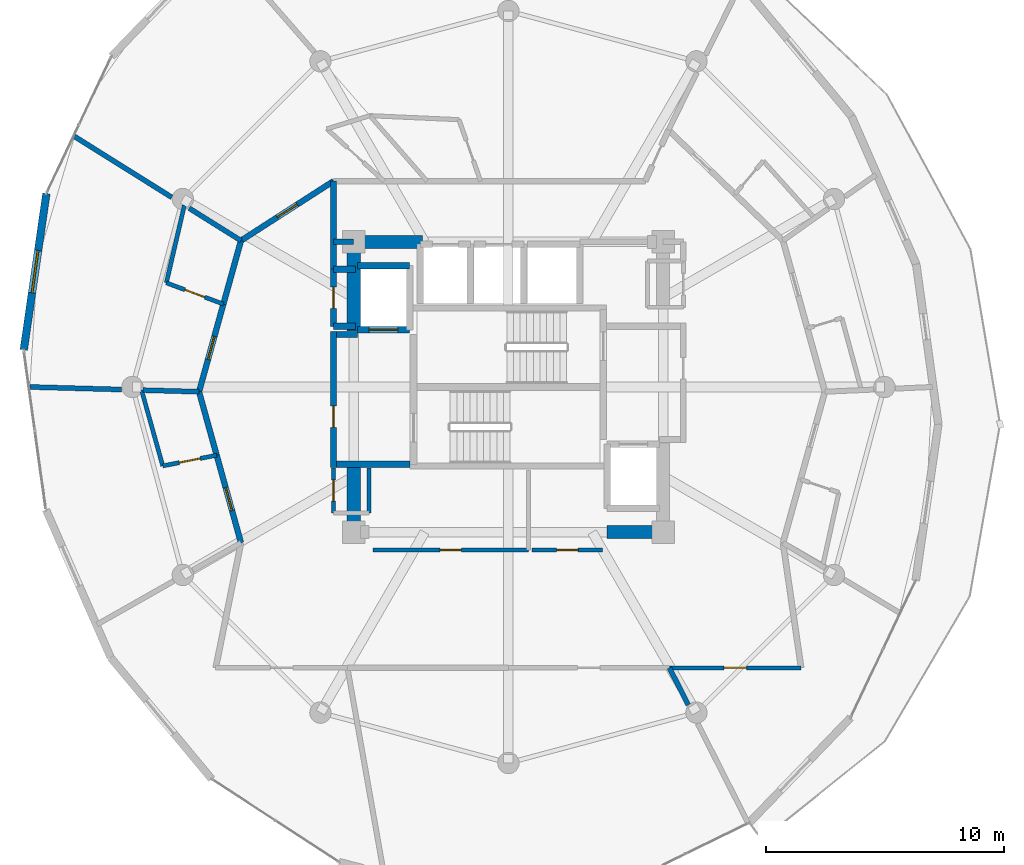
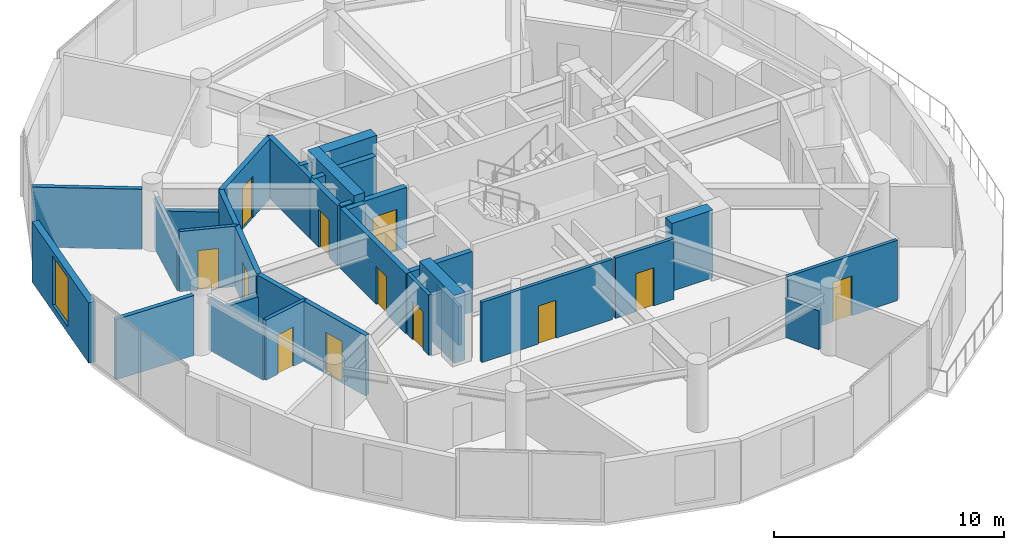
# One storey, part 17 of 22: 34 walls, 12 doors, 1 window, 13 openings.
"""IFC4 building model written with IfcOpenShell, lengths in metres."""

import ifcopenshell
import ifcopenshell.guid

model = None  # the IFC model being written
_history = None  # IfcOwnerHistory: only IFC2X3 demands one
_inside = {}  # id of a spatial element -> (the spatial element, [elements in it])
_under = {}  # id of a project, library or spatial element -> (it, [spatial elements below it])
_declared = {}  # id of a project -> (the project, [libraries it declares])
_typed = {}  # id of a type object -> (the type object, [elements of that type])
_made_of = {}  # id of a material, layer set ... -> (it, [elements and type objects made of it])


def new_model(schema):
    """Start an empty IFC model of exactly this schema.

    Asked for "IFC4X3", IfcOpenShell would pick the latest addendum, in which some entities
    have other attributes; the version numbers below select the first issue.
    IFC2X3 requires an IfcOwnerHistory on every rooted entity: one is made here for all.
    """
    global model, _history
    if schema == "IFC4X3":
        model = ifcopenshell.file(schema_version=(4, 3, 0, 0))
    else:
        model = ifcopenshell.file(schema=schema)
    _inside.clear()
    _under.clear()
    _declared.clear()
    _typed.clear()
    _made_of.clear()
    _history = None
    if model.schema == "IFC2X3":
        org = make("IfcOrganization", Name="unknown")
        user = make(
            "IfcPersonAndOrganization",
            ThePerson=make("IfcPerson", FamilyName="unknown"),
            TheOrganization=org,
        )
        app = make(
            "IfcApplication",
            ApplicationDeveloper=org,
            Version="unknown",
            ApplicationFullName="unknown",
            ApplicationIdentifier="unknown",
        )
        _history = make(
            "IfcOwnerHistory",
            OwningUser=user,
            OwningApplication=app,
            ChangeAction="ADDED",
            CreationDate=0,
        )
    return model


def make(cls, **values):
    """One entity of the class cls with the attributes given. An attribute that is None is left unset."""
    return model.create_entity(
        cls, **{name: value for name, value in values.items() if value is not None}
    )


def rooted(cls, **values):
    """An entity with a GlobalId (a new one), such as an element, a storey or a relation."""
    return make(cls, GlobalId=ifcopenshell.guid.new(), OwnerHistory=_history, **values)


def si_unit(unit_type, name, prefix=None):
    """IfcSIUnit, for example si_unit("LENGTHUNIT", "METRE", prefix="MILLI")."""
    return make("IfcSIUnit", UnitType=unit_type, Prefix=prefix, Name=name)


def assignment(units):
    """IfcUnitAssignment: the units of a project."""
    return None if units is None else make("IfcUnitAssignment", Units=units)


def point(xyz):
    """IfcCartesianPoint."""
    return None if xyz is None else make("IfcCartesianPoint", Coordinates=xyz)


def direction(xyz):
    """IfcDirection."""
    return None if xyz is None else make("IfcDirection", DirectionRatios=xyz)


def frame(location, z_axis=None, x_axis=None):
    """IfcAxis2Placement3D, a coordinate frame: its origin and axes. An axis left out is left unset."""
    return make(
        "IfcAxis2Placement3D",
        Location=point(location),
        Axis=direction(z_axis),
        RefDirection=direction(x_axis),
    )


def frame_2d(location, x_axis=None):
    """IfcAxis2Placement2D, a coordinate frame in the plane: its origin and x axis."""
    return make(
        "IfcAxis2Placement2D", Location=point(location), RefDirection=direction(x_axis)
    )


def origin():
    """The frame at (0, 0, 0) with its axes left unset."""
    return frame((0.0, 0.0, 0.0))


def place(relative_to, where):
    """IfcLocalPlacement: puts the frame where relative to a parent placement (None: the world)."""
    return make(
        "IfcLocalPlacement", PlacementRelTo=relative_to, RelativePlacement=where
    )


def context(
    kind, dimensions, precision=None, world=None, true_north=None, identifier=None
):
    """IfcGeometricRepresentationContext, for example the 3D "Model" context."""
    return make(
        "IfcGeometricRepresentationContext",
        ContextIdentifier=identifier,
        ContextType=kind,
        CoordinateSpaceDimension=dimensions,
        Precision=precision,
        WorldCoordinateSystem=world,
        TrueNorth=true_north,
    )


def subcontext(parent, identifier, kind, view, scale=None):
    """IfcGeometricRepresentationSubContext, for example "Body" below "Model"."""
    return make(
        "IfcGeometricRepresentationSubContext",
        ContextIdentifier=identifier,
        ContextType=kind,
        ParentContext=parent,
        TargetScale=scale,
        TargetView=view,
    )


def project(units=None, contexts=None):
    """IfcProject with its units and contexts."""
    return rooted(
        "IfcProject",
        Name="project",
        RepresentationContexts=contexts,
        UnitsInContext=assignment(units),
    )


def spatial(cls, under=None, at=None, **own):
    """A site, building, storey or space (cls), placed at a placement, below another one or the project."""
    s = rooted(cls, ObjectPlacement=at, **own)
    if under is not None:
        _under.setdefault(under.id(), (under, []))[1].append(s)
    return s


def profile(cls, at=None, kind="AREA", **sizes):
    """A parametric profile (cls). Its sizes go by their IFC names, for example OverallWidth=200.0."""
    return make(cls, ProfileType=kind, Position=at, **sizes)


def rectangle(**sizes):
    """IfcRectangleProfileDef."""
    return profile("IfcRectangleProfileDef", **sizes)


def extrude(swept, where, along, depth):
    """IfcExtrudedAreaSolid: the profile swept, set in the frame where, extruded along a direction by depth."""
    return make(
        "IfcExtrudedAreaSolid",
        SweptArea=swept,
        Position=where,
        ExtrudedDirection=direction(along),
        Depth=depth,
    )


def shape(context_of_items, identifier, shape_type, items):
    """IfcShapeRepresentation: the items that make up one representation, for example the "Body"."""
    return make(
        "IfcShapeRepresentation",
        ContextOfItems=context_of_items,
        RepresentationIdentifier=identifier,
        RepresentationType=shape_type,
        Items=items,
    )


def material(Name=None, Category=None):
    """IfcMaterial."""
    return make("IfcMaterial", Name=Name, Category=Category)


def layer(
    of_material, thickness, ventilated=None, Name=None, Category=None, Priority=None
):
    """IfcMaterialLayer: one layer of a wall or slab, of a material (None: an air gap)."""
    return make(
        "IfcMaterialLayer",
        Material=of_material,
        LayerThickness=thickness,
        IsVentilated=ventilated,
        Name=Name,
        Category=Category,
        Priority=Priority,
    )


def layer_set(layers, Name=None):
    """IfcMaterialLayerSet."""
    return make("IfcMaterialLayerSet", MaterialLayers=layers, LayerSetName=Name)


def made_of(thing, what):
    """Note that an element or type object is made of a material, layer set ...; save() writes the relation."""
    if what is not None:
        _made_of.setdefault(what.id(), (what, []))[1].append(thing)
    return thing


def type_object(cls, material=None, **own):
    """A type object (cls), such as IfcWallType, which elements share."""
    return made_of(rooted(cls, **own), material)


def element(
    cls,
    number,
    at=None,
    inside=None,
    cuts=None,
    type_object=None,
    material=None,
    context=None,
    identifier="Body",
    shape_type=None,
    held_by="IfcProductDefinitionShape",
    body=None,
    shapes=None,
    **own,
):
    """One element of the class cls, such as IfcWall. Its Tag is "e" and its number.

    at: its placement. inside: the storey or other place that contains it. cuts: it is an
    opening in that element (IfcRelVoidsElement). A single representation is given by context,
    identifier, shape_type and body (its items); several are given by shapes. held_by: the class
    of the entity that holds the representations. save() writes the other relations.
    """
    e = rooted(cls, Tag="e%d" % number, ObjectPlacement=at, **own)
    if body is not None:
        shapes = [shape(context, identifier, shape_type, body)]
    if shapes is not None:
        e.Representation = make(held_by, Representations=shapes)
    if inside is not None:
        _inside.setdefault(inside.id(), (inside, []))[1].append(e)
    if cuts is not None:
        rooted(
            "IfcRelVoidsElement", RelatingBuildingElement=cuts, RelatedOpeningElement=e
        )
    if type_object is not None:
        _typed.setdefault(type_object.id(), (type_object, []))[1].append(e)
    return made_of(e, material)


def fill(opening, filler):
    """IfcRelFillsElement: the door or window that sits in an opening."""
    return rooted(
        "IfcRelFillsElement",
        RelatingOpeningElement=opening,
        RelatedBuildingElement=filler,
    )


def aggregate(whole, parts):
    """IfcRelAggregates: a whole, such as a stair, and the parts it consists of."""
    return rooted("IfcRelAggregates", RelatingObject=whole, RelatedObjects=parts)


def save(model, path):
    """Write the relations noted so far, then the file.

    IfcRelAggregates (storeys below a building ...), IfcRelContainedInSpatialStructure (elements
    in a storey), IfcRelDefinesByType, IfcRelAssociatesMaterial and IfcRelDeclares: one each for
    every whole, place, type object, material and project.
    """
    for whole, parts in _under.values():
        aggregate(whole, parts)
    for where, things in _inside.values():
        rooted(
            "IfcRelContainedInSpatialStructure",
            RelatedElements=things,
            RelatingStructure=where,
        )
    for kind, things in _typed.values():
        rooted("IfcRelDefinesByType", RelatedObjects=things, RelatingType=kind)
    for what, things in _made_of.values():
        rooted("IfcRelAssociatesMaterial", RelatedObjects=things, RelatingMaterial=what)
    for by, libraries in _declared.values():
        rooted("IfcRelDeclares", RelatingContext=by, RelatedDefinitions=libraries)
    model.write(path)


model = new_model("IFC4")

# Units and contexts
model_context = context("Model", 3, precision=1e-05, world=origin(), true_north=direction((0.0, 1.0)))
body_context = subcontext(model_context, "Body", "Model", "MODEL_VIEW")
ifc_project = project(units=[si_unit("LENGTHUNIT", "METRE"), si_unit("AREAUNIT", "SQUARE_METRE"), si_unit("VOLUMEUNIT", "CUBIC_METRE"), si_unit("PLANEANGLEUNIT", "RADIAN"), si_unit("MASSUNIT", "GRAM", prefix="KILO")], contexts=[model_context])

# Site, building, storey
site_placement = place(None, origin())
site = spatial("IfcSite", under=ifc_project, at=site_placement, CompositionType="ELEMENT")
building_placement = place(site_placement, origin())
building = spatial("IfcBuilding", under=site, at=building_placement, Name="Solvirekh Grand Hotel", CompositionType="ELEMENT")
storey_placement = place(building_placement, frame((0.0, 0.0, 230.800048828125)))
storey = spatial("IfcBuildingStorey", under=building, at=storey_placement, Name="L60", CompositionType="ELEMENT", Elevation=230.800048828125)

# Wall, opening, door
ifc_material_1 = material(Name="Concrete C40/50", Category="concrete")
ifc_layer_1 = layer(ifc_material_1, 0.280029296875)
ifc_layer_set_1 = layer_set([ifc_layer_1], Name="Concrete C40/50")
wall_type_1 = type_object("IfcWallType", Name="CoreShaftWall_RC280", PredefinedType="SOLIDWALL", material=ifc_layer_set_1)
wall_1_placement = place(storey_placement, frame((-6.35009765625, 2.39990234375, 0.0), z_axis=(0.0, 0.0, 1.0), x_axis=(1.0, 0.0, 0.0)))
wall_1 = element("IfcWall", 1, at=wall_1_placement, inside=storey, type_object=wall_type_1, Name="L60 FL-1 hoistway S wall", PredefinedType="SOLIDWALL", context=body_context, shape_type="SweptSolid", body=[
    extrude(rectangle(XDim=2.2001953125, YDim=0.280029296875, at=frame_2d((1.10009765625, 0.0))), origin(), (0.0, 0.0, 1.0), 3.199951171875),
])
opening_1_placement = place(wall_1_placement, frame((0.5, 0.0, 0.0)))
opening_1 = element("IfcOpeningElement", 2, at=opening_1_placement, cuts=wall_1, Name="Opening LD02", PredefinedType="OPENING", context=body_context, shape_type="SweptSolid", body=[
    extrude(rectangle(XDim=1.199951171875, YDim=2.199951171875, at=frame_2d((0.60009765625, 1.10009765625))), frame((0.0, 0.14990234375, 0.0), z_axis=(0.0, -1.0, 0.0), x_axis=(1.0, 0.0, 0.0)), (0.0, 0.0, 1.0), 0.300048828125),
])
ifc_material_2 = material(Name="Fire-Rated Steel Door Assembly", Category="steel")
door_type_1 = type_object("IfcDoorType", Name="Door_LiftFF_1200X2200", OperationType="SLIDING_TO_LEFT", PredefinedType="DOOR", material=ifc_material_2)
door_1_placement = place(opening_1_placement, origin())
door_1 = element("IfcDoor", 3, at=door_1_placement, inside=storey, type_object=door_type_1, Name="L60 FL-1 sliding lift landing door", OperationType="SLIDING_TO_LEFT", OverallHeight=2.199951171875, OverallWidth=1.199951171875, PredefinedType="DOOR", context=body_context, shape_type="SweptSolid", body=[
    extrude(rectangle(XDim=1.199951171875, YDim=2.199951171875, at=frame_2d((0.60009765625, 1.10009765625))), frame((0.0, 0.02490234375, 0.0), z_axis=(0.0, -1.0, 0.0), x_axis=(1.0, 0.0, 0.0)), (0.0, 0.0, 1.0), 0.050048828125),
])
fill(opening_1, door_1)

# Walls
wall_2_placement = place(storey_placement, frame((-4.14990234375, 5.10009765625, 0.0), z_axis=(0.0, 0.0, 1.0), x_axis=(-1.0, 0.0, 0.0)))
element("IfcWall", 4, at=wall_2_placement, inside=storey, type_object=wall_type_1, Name="L60 FL-1 hoistway N wall", PredefinedType="SOLIDWALL", context=body_context, shape_type="SweptSolid", body=[
    extrude(rectangle(XDim=2.2001953125, YDim=0.280029296875, at=frame_2d((1.10009765625, 0.0))), origin(), (0.0, 0.0, 1.0), 3.199951171875),
])
ifc_material_3 = material(Name="Concrete C50/60", Category="concrete")
ifc_layer_2 = layer(ifc_material_3, 0.550048828125)
ifc_layer_set_2 = layer_set([ifc_layer_2], Name="Concrete C50/60")
wall_type_2 = type_object("IfcWallType", Name="CoreWall_RC550", PredefinedType="SHEAR", material=ifc_layer_set_2)
wall_3_placement = place(storey_placement, frame((4.14990234375, -6.10009765625, 0.0), z_axis=(0.0, 0.0, 1.0), x_axis=(1.0, 0.0, 0.0)))
element("IfcWall", 5, at=wall_3_placement, inside=storey, type_object=wall_type_2, Name="L60 core corner shear wall SE-S", PredefinedType="SHEAR", context=body_context, shape_type="SweptSolid", body=[
    extrude(rectangle(XDim=2.0751953125, YDim=0.550048828125, at=frame_2d((1.03759765625, 0.0))), origin(), (0.0, 0.0, 1.0), 3.599853515625),
])
wall_4_placement = place(storey_placement, frame((-6.22509765625, 6.10009765625, 0.0), z_axis=(0.0, 0.0, 1.0), x_axis=(1.0, 0.0, 0.0)))
element("IfcWall", 6, at=wall_4_placement, inside=storey, type_object=wall_type_2, Name="L60 core corner shear wall NW-N", PredefinedType="SHEAR", context=body_context, shape_type="SweptSolid", body=[
    extrude(rectangle(XDim=2.625, YDim=0.550048828125, at=frame_2d((1.3125, 0.0))), origin(), (0.0, 0.0, 1.0), 3.599853515625),
])
wall_5_placement = place(storey_placement, frame((-6.5, 2.35009765625, 0.0), z_axis=(0.0, 0.0, 1.0), x_axis=(0.0, 1.0, 0.0)))
element("IfcWall", 7, at=wall_5_placement, inside=storey, type_object=wall_type_2, Name="L60 core corner shear wall WN-W", PredefinedType="SHEAR", context=body_context, shape_type="SweptSolid", body=[
    extrude(rectangle(XDim=4.02490234375, YDim=0.550048828125, at=frame_2d((2.012451171875, 0.0))), origin(), (0.0, 0.0, 1.0), 3.599853515625),
])
wall_6_placement = place(storey_placement, frame((-6.5, -6.375, 0.0), z_axis=(0.0, 0.0, 1.0), x_axis=(0.0, 1.0, 0.0)))
element("IfcWall", 8, at=wall_6_placement, inside=storey, type_object=wall_type_2, Name="L60 core corner shear wall WS-W", PredefinedType="SHEAR", context=body_context, shape_type="SweptSolid", body=[
    extrude(rectangle(XDim=3.02490234375, YDim=0.550048828125, at=frame_2d((1.512451171875, 0.0))), origin(), (0.0, 0.0, 1.0), 3.599853515625),
])

# Wall, opening, window
ifc_material_4 = material(Name="Precast concrete C45/55", Category="concrete")
ifc_layer_3 = layer(ifc_material_4, 0.320068359375)
ifc_layer_set_3 = layer_set([ifc_layer_3], Name="Precast concrete C45/55")
wall_type_3 = type_object("IfcWallType", Name="ExtLobbyWall_RC320", PredefinedType="SOLIDWALL", material=ifc_layer_set_3)
wall_7_placement = place(storey_placement, frame((-20.365966796875, 1.56005859375, 0.0), z_axis=(0.0, 0.0, 1.0), x_axis=(0.143125707186, 0.989704517491, 0.0)))
wall_7 = element("IfcWall", 9, at=wall_7_placement, inside=storey, type_object=wall_type_3, Name="L60 exterior structural wall chord 14", PredefinedType="SOLIDWALL", context=body_context, shape_type="SweptSolid", body=[
    extrude(rectangle(XDim=6.63720703125, YDim=0.320068359375, at=frame_2d((3.318603515625, 0.0))), origin(), (0.0, 0.0, 1.0), 3.199951171875),
])
opening_2_placement = place(wall_7_placement, frame((2.4189453125, 0.0, 0.35009765625)))
opening_2 = element("IfcOpeningElement", 10, at=opening_2_placement, cuts=wall_7, Name="Opening W02", PredefinedType="OPENING", context=body_context, shape_type="SweptSolid", body=[
    extrude(rectangle(XDim=1.800048828125, YDim=2.60009765625, at=frame_2d((0.89990234375, 1.300048828125))), frame((0.0, 0.169921875, 0.0), z_axis=(0.0, -1.0, 0.0), x_axis=(1.0, 0.0, 0.0)), (0.0, 0.0, 1.0), 0.340087890625),
])
ifc_material_5 = material(Name="Low-E Tinted Bronze Laminated Glass", Category="aluminium")
window_type = type_object("IfcWindowType", Name="Win_LobbyExt_1800X2600", PartitioningType="SINGLE_PANEL", PredefinedType="WINDOW", material=ifc_material_5)
window_placement = place(opening_2_placement, origin())
window = element("IfcWindow", 11, at=window_placement, inside=storey, type_object=window_type, Name="L60 panoramic bronze-framed window 14", OverallHeight=2.60009765625, OverallWidth=1.800048828125, PartitioningType="SINGLE_PANEL", PredefinedType="WINDOW", context=body_context, shape_type="SweptSolid", body=[
    extrude(rectangle(XDim=1.800048828125, YDim=2.60009765625, at=frame_2d((0.89990234375, 1.300048828125))), frame((0.0, 0.030029296875, 0.0), z_axis=(0.0, -1.0, 0.0), x_axis=(1.0, 0.0, 0.0)), (0.0, 0.0, 1.0), 0.06005859375),
])
fill(opening_2, window)

# Wall
ifc_material_6 = material(Name="Acoustic Gypsum Partition Assembly")
ifc_layer_4 = layer(ifc_material_6, 0.1650390625)
ifc_layer_set_4 = layer_set([ifc_layer_4], Name="Acoustic Gypsum Partition Assembly")
wall_type_4 = type_object("IfcWallType", Name="Part_BOH_165", PredefinedType="PARTITIONING", material=ifc_layer_set_4)
wall_8_placement = place(storey_placement, frame((-5.85009765625, -5.300048828125, 0.0), z_axis=(0.0, 0.0, 1.0), x_axis=(0.0, 1.0, 0.0)))
element("IfcWall", 12, at=wall_8_placement, inside=storey, type_object=wall_type_4, Name="L60 L60 Butler Service Closet wall 2", PredefinedType="PARTITIONING", context=body_context, shape_type="SweptSolid", body=[
    extrude(rectangle(XDim=1.900146484375, YDim=0.1650390625, at=frame_2d((0.9501953125, 0.0))), origin(), (0.0, 0.0, 1.0), 2.06689453125),
])

# Wall, opening, door
wall_9_placement = place(storey_placement, frame((-7.35009765625, -3.39990234375, 0.0), z_axis=(0.0, 0.0, 1.0), x_axis=(0.0, -1.0, 0.0)))
wall_9 = element("IfcWall", 13, at=wall_9_placement, inside=storey, type_object=wall_type_4, Name="L60 L60 Butler Service Closet wall 4", PredefinedType="PARTITIONING", context=body_context, shape_type="SweptSolid", body=[
    extrude(rectangle(XDim=1.900146484375, YDim=0.1650390625, at=frame_2d((0.9501953125, 0.0))), origin(), (0.0, 0.0, 1.0), 3.199951171875),
])
opening_3_placement = place(wall_9_placement, frame((0.5, 0.0, 0.0)))
opening_3 = element("IfcOpeningElement", 14, at=opening_3_placement, cuts=wall_9, Name="Opening D14", PredefinedType="OPENING", context=body_context, shape_type="SweptSolid", body=[
    extrude(rectangle(XDim=0.89990234375, YDim=2.02001953125, at=frame_2d((0.449951171875, 1.010009765625))), frame((0.0, 0.092529296875, 0.0), z_axis=(0.0, -1.0, 0.0), x_axis=(1.0, 0.0, 0.0)), (0.0, 0.0, 1.0), 0.18505859375),
])
door_type_2 = type_object("IfcDoorType", Name="Door_LowHeadroom_900X2020", OperationType="NOTDEFINED", PredefinedType="DOOR", material=ifc_material_2)
door_2_placement = place(opening_3_placement, origin())
door_2 = element("IfcDoor", 15, at=door_2_placement, inside=storey, type_object=door_type_2, Name="L60 L60 Butler Service Closet door", OperationType="SINGLE_SWING_LEFT", OverallHeight=2.02001953125, OverallWidth=0.89990234375, PredefinedType="DOOR", context=body_context, shape_type="SweptSolid", body=[
    extrude(rectangle(XDim=0.89990234375, YDim=2.02001953125, at=frame_2d((0.449951171875, 1.010009765625))), frame((0.0, 0.02490234375, 0.0), z_axis=(0.0, -1.0, 0.0), x_axis=(1.0, 0.0, 0.0)), (0.0, 0.0, 1.0), 0.050048828125),
])
fill(opening_3, door_2)

wall_10_placement = place(storey_placement, frame((-5.699951171875, -6.85009765625, 0.0), z_axis=(0.0, 0.0, 1.0), x_axis=(1.0, 0.0, 0.0)))
wall_10 = element("IfcWall", 16, at=wall_10_placement, inside=storey, type_object=wall_type_4, Name="L60 Housekeeping Linen Room wall 1", PredefinedType="PARTITIONING", context=body_context, shape_type="SweptSolid", body=[
    extrude(rectangle(XDim=6.550048828125, YDim=0.1650390625, at=frame_2d((3.27490234375, 0.0))), origin(), (0.0, 0.0, 1.0), 3.199951171875),
])
opening_4_placement = place(wall_10_placement, frame((2.824951171875, 0.0, 0.0)))
opening_4 = element("IfcOpeningElement", 17, at=opening_4_placement, cuts=wall_10, Name="Opening D14", PredefinedType="OPENING", context=body_context, shape_type="SweptSolid", body=[
    extrude(rectangle(XDim=0.89990234375, YDim=2.02001953125, at=frame_2d((0.449951171875, 1.010009765625))), frame((0.0, 0.092529296875, 0.0), z_axis=(0.0, -1.0, 0.0), x_axis=(1.0, 0.0, 0.0)), (0.0, 0.0, 1.0), 0.18505859375),
])
door_3_placement = place(opening_4_placement, origin())
door_3 = element("IfcDoor", 18, at=door_3_placement, inside=storey, type_object=door_type_2, Name="L60 Housekeeping Linen Room door", OperationType="SINGLE_SWING_LEFT", OverallHeight=2.02001953125, OverallWidth=0.89990234375, PredefinedType="DOOR", context=body_context, shape_type="SweptSolid", body=[
    extrude(rectangle(XDim=0.89990234375, YDim=2.02001953125, at=frame_2d((0.449951171875, 1.010009765625))), frame((0.0, 0.02490234375, 0.0), z_axis=(0.0, -1.0, 0.0), x_axis=(1.0, 0.0, 0.0)), (0.0, 0.0, 1.0), 0.050048828125),
])
fill(opening_4, door_3)

wall_11_placement = place(storey_placement, frame((1.0, -6.85009765625, 0.0), z_axis=(0.0, 0.0, 1.0), x_axis=(1.0, 0.0, 0.0)))
wall_11 = element("IfcWall", 19, at=wall_11_placement, inside=storey, type_object=wall_type_4, Name="L60 Chilled Water Manifold Room wall 1", PredefinedType="PARTITIONING", context=body_context, shape_type="SweptSolid", body=[
    extrude(rectangle(XDim=2.949951171875, YDim=0.1650390625, at=frame_2d((1.47509765625, 0.0))), origin(), (0.0, 0.0, 1.0), 3.199951171875),
])
opening_5_placement = place(wall_11_placement, frame((1.02490234375, 0.0, 0.0)))
opening_5 = element("IfcOpeningElement", 20, at=opening_5_placement, cuts=wall_11, Name="Opening D14", PredefinedType="OPENING", context=body_context, shape_type="SweptSolid", body=[
    extrude(rectangle(XDim=0.89990234375, YDim=2.02001953125, at=frame_2d((0.449951171875, 1.010009765625))), frame((0.0, 0.092529296875, 0.0), z_axis=(0.0, -1.0, 0.0), x_axis=(1.0, 0.0, 0.0)), (0.0, 0.0, 1.0), 0.18505859375),
])
door_4_placement = place(opening_5_placement, origin())
door_4 = element("IfcDoor", 21, at=door_4_placement, inside=storey, type_object=door_type_2, Name="L60 Chilled Water Manifold Room door", OperationType="SINGLE_SWING_RIGHT", OverallHeight=2.02001953125, OverallWidth=0.89990234375, PredefinedType="DOOR", context=body_context, shape_type="SweptSolid", body=[
    extrude(rectangle(XDim=0.89990234375, YDim=2.02001953125, at=frame_2d((0.449951171875, 1.010009765625))), frame((0.0, 0.02490234375, 0.0), z_axis=(0.0, -1.0, 0.0), x_axis=(1.0, 0.0, 0.0)), (0.0, 0.0, 1.0), 0.050048828125),
])
fill(opening_5, door_4)

wall_12_placement = place(storey_placement, frame((6.764892578125, -11.800048828125, 0.0), z_axis=(0.0, 0.0, 1.0), x_axis=(1.0, 0.0, 0.0)))
wall_12 = element("IfcWall", 22, at=wall_12_placement, inside=storey, type_object=wall_type_4, Name="L60 L60 Butler Valet & Linen Steward Room entrance wall", PredefinedType="PARTITIONING", context=body_context, shape_type="SweptSolid", body=[
    extrude(rectangle(XDim=5.53515625, YDim=0.1650390625, at=frame_2d((2.767578125, 0.0))), origin(), (0.0, 0.0, 1.0), 3.199951171875),
])
opening_6_placement = place(wall_12_placement, frame((2.29296875, 0.0, 0.0)))
opening_6 = element("IfcOpeningElement", 23, at=opening_6_placement, cuts=wall_12, Name="Opening D10", PredefinedType="OPENING", context=body_context, shape_type="SweptSolid", body=[
    extrude(rectangle(XDim=0.949951171875, YDim=2.10009765625, at=frame_2d((0.47509765625, 1.050048828125))), frame((0.0, 0.092529296875, 0.0), z_axis=(0.0, -1.0, 0.0), x_axis=(1.0, 0.0, 0.0)), (0.0, 0.0, 1.0), 0.18505859375),
])
ifc_material_7 = material(Name="Anodized Bronze Aluminium 6063-T6", Category="aluminium")
door_type_3 = type_object("IfcDoorType", Name="Door_RoomInt_950X2100", OperationType="NOTDEFINED", PredefinedType="DOOR", material=ifc_material_7)
door_5_placement = place(opening_6_placement, origin())
door_5 = element("IfcDoor", 24, at=door_5_placement, inside=storey, type_object=door_type_3, Name="L60 L60 Butler Valet & Linen Steward Room entrance door", OperationType="SINGLE_SWING_LEFT", OverallHeight=2.10009765625, OverallWidth=0.949951171875, PredefinedType="DOOR", context=body_context, shape_type="SweptSolid", body=[
    extrude(rectangle(XDim=0.949951171875, YDim=2.10009765625, at=frame_2d((0.47509765625, 1.050048828125))), frame((0.0, 0.02490234375, 0.0), z_axis=(0.0, -1.0, 0.0), x_axis=(1.0, 0.0, 0.0)), (0.0, 0.0, 1.0), 0.050048828125),
])
fill(opening_6, door_5)

ifc_layer_5 = layer(ifc_material_6, 0.239990234375)
ifc_layer_set_5 = layer_set([ifc_layer_5], Name="Acoustic Gypsum Partition Assembly")
wall_type_5 = type_object("IfcWallType", Name="Part_Corridor_240", PredefinedType="PARTITIONING", material=ifc_layer_set_5)
wall_13_placement = place(storey_placement, frame((-7.35009765625, -3.3798828125, 0.0), z_axis=(0.0, 0.0, 1.0), x_axis=(0.0, 1.0, 0.0)))
wall_13 = element("IfcWall", 25, at=wall_13_placement, inside=storey, type_object=wall_type_5, Name="L60 west firefighting lobby smoke screen wall", PredefinedType="PARTITIONING", context=body_context, shape_type="SweptSolid", body=[
    extrude(rectangle(XDim=5.719970703125, YDim=0.239990234375, at=frame_2d((2.85986328125, 0.0))), origin(), (0.0, 0.0, 1.0), 3.199951171875),
])
opening_7_placement = place(wall_13_placement, frame((1.68701171875, 0.0, 0.0)))
opening_7 = element("IfcOpeningElement", 26, at=opening_7_placement, cuts=wall_13, Name="Opening D14", PredefinedType="OPENING", context=body_context, shape_type="SweptSolid", body=[
    extrude(rectangle(XDim=0.89990234375, YDim=2.02001953125, at=frame_2d((0.449951171875, 1.010009765625))), frame((0.0, 0.1298828125, 0.0), z_axis=(0.0, -1.0, 0.0), x_axis=(1.0, 0.0, 0.0)), (0.0, 0.0, 1.0), 0.260009765625),
])
door_6_placement = place(opening_7_placement, origin())
door_6 = element("IfcDoor", 27, at=door_6_placement, inside=storey, type_object=door_type_2, Name="L60 west firefighting lobby smoke door", OperationType="SINGLE_SWING_RIGHT", OverallHeight=2.02001953125, OverallWidth=0.89990234375, PredefinedType="DOOR", context=body_context, shape_type="SweptSolid", body=[
    extrude(rectangle(XDim=0.89990234375, YDim=2.02001953125, at=frame_2d((0.449951171875, 1.010009765625))), frame((0.0, 0.02490234375, 0.0), z_axis=(0.0, -1.0, 0.0), x_axis=(1.0, 0.0, 0.0)), (0.0, 0.0, 1.0), 0.050048828125),
])
fill(opening_7, door_6)

# Walls
wall_14_placement = place(storey_placement, frame((-7.35009765625, 4.949951171875, 0.0), z_axis=(0.0, 0.0, 1.0), x_axis=(0.0, 1.0, 0.0)))
element("IfcWall", 28, at=wall_14_placement, inside=storey, type_object=wall_type_5, Name="L60 north lift lobby west wall", PredefinedType="PARTITIONING", context=body_context, shape_type="SweptSolid", body=[
    extrude(rectangle(XDim=3.699951171875, YDim=0.239990234375, at=frame_2d((1.85009765625, 0.0))), origin(), (0.0, 0.0, 1.0), 3.199951171875),
])
wall_15_placement = place(storey_placement, frame((-7.35009765625, 6.10009765625, 0.0), z_axis=(0.0, 0.0, 1.0), x_axis=(1.0, 0.0, 0.0)))
element("IfcWall", 29, at=wall_15_placement, inside=storey, type_object=wall_type_5, Name="L60 NW core corner closure wall", PredefinedType="PARTITIONING", context=body_context, shape_type="SweptSolid", body=[
    extrude(rectangle(XDim=0.85009765625, YDim=0.239990234375, at=frame_2d((0.425048828125, 0.0))), origin(), (0.0, 0.0, 1.0), 3.199951171875),
])

# Wall, opening, door
wall_16_placement = place(storey_placement, frame((-11.238037109375, 6.14990234375, 0.0), z_axis=(0.0, 0.0, 1.0), x_axis=(0.841118406986, 0.540851019625, 0.0)))
wall_16 = element("IfcWall", 30, at=wall_16_placement, inside=storey, type_object=wall_type_5, Name="L60 Deluxe Guestroom 6202 entrance wall", PredefinedType="PARTITIONING", context=body_context, shape_type="SweptSolid", body=[
    extrude(rectangle(XDim=4.622314453125, YDim=0.239990234375, at=frame_2d((2.31103515625, 0.0))), origin(), (0.0, 0.0, 1.0), 3.199951171875),
])
opening_8_placement = place(wall_16_placement, frame((1.81103515625, 0.0, 0.0)))
opening_8 = element("IfcOpeningElement", 31, at=opening_8_placement, cuts=wall_16, Name="Opening D07", PredefinedType="OPENING", context=body_context, shape_type="SweptSolid", body=[
    extrude(rectangle(XDim=1.0, YDim=2.199951171875, at=frame_2d((0.5, 1.10009765625))), frame((0.0, 0.1298828125, 0.0), z_axis=(0.0, -1.0, 0.0), x_axis=(1.0, 0.0, 0.0)), (0.0, 0.0, 1.0), 0.260009765625),
])
door_type_4 = type_object("IfcDoorType", Name="Door_GuestEntry_1000X2200", OperationType="NOTDEFINED", PredefinedType="DOOR", material=ifc_material_2)
door_7_placement = place(opening_8_placement, origin())
door_7 = element("IfcDoor", 32, at=door_7_placement, inside=storey, type_object=door_type_4, Name="L60 Deluxe Guestroom 6202 entrance door", OperationType="SINGLE_SWING_RIGHT", OverallHeight=2.199951171875, OverallWidth=1.0, PredefinedType="DOOR", context=body_context, shape_type="SweptSolid", body=[
    extrude(rectangle(XDim=1.0, YDim=2.199951171875, at=frame_2d((0.5, 1.10009765625))), frame((0.0, 0.02490234375, 0.0), z_axis=(0.0, -1.0, 0.0), x_axis=(1.0, 0.0, 0.0)), (0.0, 0.0, 1.0), 0.050048828125),
])
fill(opening_8, door_7)

# Wall
wall_17_placement = place(storey_placement, frame((-11.238037109375, 6.14990234375, 0.0), z_axis=(0.0, 0.0, 1.0), x_axis=(-0.267361785392, -0.963596220266, 0.0)))
element("IfcWall", 33, at=wall_17_placement, inside=storey, type_object=wall_type_5, Name="L60 En-suite Bathroom 6203 corridor backing wall", PredefinedType="PARTITIONING", context=body_context, shape_type="SweptSolid", body=[
    extrude(rectangle(XDim=2.767822265625, YDim=0.239990234375, at=frame_2d((1.3837890625, 0.0))), origin(), (0.0, 0.0, 1.0), 3.199951171875),
])

# Wall, opening, door
wall_18_placement = place(storey_placement, frame((-11.97802734375, 3.48291015625, 0.0), z_axis=(0.0, 0.0, 1.0), x_axis=(-0.267390175797, -0.963588342544, 0.0)))
wall_18 = element("IfcWall", 34, at=wall_18_placement, inside=storey, type_object=wall_type_5, Name="L60 Deluxe Guestroom 6203 entrance wall", PredefinedType="PARTITIONING", context=body_context, shape_type="SweptSolid", body=[
    extrude(rectangle(XDim=3.822021484375, YDim=0.239990234375, at=frame_2d((1.9111328125, 0.0))), origin(), (0.0, 0.0, 1.0), 3.199951171875),
])
opening_9_placement = place(wall_18_placement, frame((1.410888671875, 0.0, 0.0)))
opening_9 = element("IfcOpeningElement", 35, at=opening_9_placement, cuts=wall_18, Name="Opening D07", PredefinedType="OPENING", context=body_context, shape_type="SweptSolid", body=[
    extrude(rectangle(XDim=1.0, YDim=2.199951171875, at=frame_2d((0.5, 1.10009765625))), frame((0.0, 0.1298828125, 0.0), z_axis=(0.0, -1.0, 0.0), x_axis=(1.0, 0.0, 0.0)), (0.0, 0.0, 1.0), 0.260009765625),
])
door_8_placement = place(opening_9_placement, origin())
door_8 = element("IfcDoor", 36, at=door_8_placement, inside=storey, type_object=door_type_4, Name="L60 Deluxe Guestroom 6203 entrance door", OperationType="SINGLE_SWING_RIGHT", OverallHeight=2.199951171875, OverallWidth=1.0, PredefinedType="DOOR", context=body_context, shape_type="SweptSolid", body=[
    extrude(rectangle(XDim=1.0, YDim=2.199951171875, at=frame_2d((0.5, 1.10009765625))), frame((0.0, 0.02490234375, 0.0), z_axis=(0.0, -1.0, 0.0), x_axis=(1.0, 0.0, 0.0)), (0.0, 0.0, 1.0), 0.050048828125),
])
fill(opening_9, door_8)

# Wall
wall_19_placement = place(storey_placement, frame((-13.0, -0.199951171875, 0.0), z_axis=(0.0, 0.0, 1.0), x_axis=(0.267361785392, -0.963596220266, 0.0)))
element("IfcWall", 37, at=wall_19_placement, inside=storey, type_object=wall_type_5, Name="L60 En-suite Bathroom 6204 corridor backing wall", PredefinedType="PARTITIONING", context=body_context, shape_type="SweptSolid", body=[
    extrude(rectangle(XDim=2.767822265625, YDim=0.239990234375, at=frame_2d((1.3837890625, 0.0))), origin(), (0.0, 0.0, 1.0), 3.199951171875),
])

# Wall, opening, door
wall_20_placement = place(storey_placement, frame((-12.260009765625, -2.866943359375, 0.0), z_axis=(0.0, 0.0, 1.0), x_axis=(0.267373718537, -0.963592909187, 0.0)))
wall_20 = element("IfcWall", 38, at=wall_20_placement, inside=storey, type_object=wall_type_5, Name="L60 Deluxe Guestroom 6204 entrance wall", PredefinedType="PARTITIONING", context=body_context, shape_type="SweptSolid", body=[
    extrude(rectangle(XDim=3.822265625, YDim=0.239990234375, at=frame_2d((1.9111328125, 0.0))), origin(), (0.0, 0.0, 1.0), 3.199951171875),
])
opening_10_placement = place(wall_20_placement, frame((1.410888671875, 0.0, 0.0)))
opening_10 = element("IfcOpeningElement", 39, at=opening_10_placement, cuts=wall_20, Name="Opening D07", PredefinedType="OPENING", context=body_context, shape_type="SweptSolid", body=[
    extrude(rectangle(XDim=1.0, YDim=2.199951171875, at=frame_2d((0.5, 1.10009765625))), frame((0.0, 0.1298828125, 0.0), z_axis=(0.0, -1.0, 0.0), x_axis=(1.0, 0.0, 0.0)), (0.0, 0.0, 1.0), 0.260009765625),
])
door_9_placement = place(opening_10_placement, origin())
door_9 = element("IfcDoor", 40, at=door_9_placement, inside=storey, type_object=door_type_4, Name="L60 Deluxe Guestroom 6204 entrance door", OperationType="SINGLE_SWING_RIGHT", OverallHeight=2.199951171875, OverallWidth=1.0, PredefinedType="DOOR", context=body_context, shape_type="SweptSolid", body=[
    extrude(rectangle(XDim=1.0, YDim=2.199951171875, at=frame_2d((0.5, 1.10009765625))), frame((0.0, 0.02490234375, 0.0), z_axis=(0.0, -1.0, 0.0), x_axis=(1.0, 0.0, 0.0)), (0.0, 0.0, 1.0), 0.050048828125),
])
fill(opening_10, door_9)

# Walls
ifc_layer_6 = layer(ifc_material_6, 0.260009765625)
ifc_layer_set_6 = layer_set([ifc_layer_6], Name="Acoustic Gypsum Partition Assembly")
wall_type_6 = type_object("IfcWallType", Name="Part_LobbyFF_260", PredefinedType="PARTITIONING", material=ifc_layer_set_6)
wall_21_placement = place(storey_placement, frame((-7.22509765625, -3.25, 0.0), z_axis=(0.0, 0.0, 1.0), x_axis=(1.0, 0.0, 0.0)))
element("IfcWall", 41, at=wall_21_placement, inside=storey, type_object=wall_type_6, Name="L60 west firefighting lobby south partition", PredefinedType="PARTITIONING", context=body_context, shape_type="SweptSolid", body=[
    extrude(rectangle(XDim=3.09521484375, YDim=0.260009765625, at=frame_2d((1.547607421875, 0.0))), origin(), (0.0, 0.0, 1.0), 3.199951171875),
])
wall_22_placement = place(storey_placement, frame((-7.22509765625, 2.2099609375, 0.0), z_axis=(0.0, 0.0, 1.0), x_axis=(1.0, 0.0, 0.0)))
element("IfcWall", 42, at=wall_22_placement, inside=storey, type_object=wall_type_6, Name="L60 west firefighting lobby NW cheek", PredefinedType="PARTITIONING", context=body_context, shape_type="SweptSolid", body=[
    extrude(rectangle(XDim=0.875, YDim=0.260009765625, at=frame_2d((0.4375, 0.0))), origin(), (0.0, 0.0, 1.0), 3.199951171875),
])
for number, where, z_axis, x_axis, name in (
    (43, (-7.35009765625, 4.949951171875, 0.0), (0.0, 0.0, 1.0), (1.0, 0.0, 0.0), "L60 NW telecom metering cupboard north wall"),
    (44, (-7.35009765625, 2.550048828125, 0.0), (0.0, 0.0, 1.0), (1.0, 0.0, 0.0), "L60 NW telecom metering cupboard south wall"),
):
    element("IfcWall", number, at=place(storey_placement, frame(where, z_axis=z_axis, x_axis=x_axis)), inside=storey, type_object=wall_type_6, Name=name, PredefinedType="PARTITIONING", context=body_context, shape_type="SweptSolid", body=[
        extrude(rectangle(XDim=0.93017578125, YDim=0.260009765625, at=frame_2d((0.465087890625, 0.0))), origin(), (0.0, 0.0, 1.0), 3.199951171875),
    ])

# Wall, opening, door
wall_23_placement = place(storey_placement, frame((-7.35009765625, 2.550048828125, 0.0), z_axis=(0.0, 0.0, 1.0), x_axis=(0.0, 1.0, 0.0)))
wall_23 = element("IfcWall", 45, at=wall_23_placement, inside=storey, type_object=wall_type_6, Name="L60 NW telecom metering cupboard access wall", PredefinedType="PARTITIONING", context=body_context, shape_type="SweptSolid", body=[
    extrude(rectangle(XDim=2.39990234375, YDim=0.260009765625, at=frame_2d((1.199951171875, 0.0))), origin(), (0.0, 0.0, 1.0), 3.199951171875),
])
opening_11_placement = place(wall_23_placement, frame((0.75, 0.0, 0.0)))
opening_11 = element("IfcOpeningElement", 46, at=opening_11_placement, cuts=wall_23, Name="Opening D14", PredefinedType="OPENING", context=body_context, shape_type="SweptSolid", body=[
    extrude(rectangle(XDim=0.89990234375, YDim=2.02001953125, at=frame_2d((0.449951171875, 1.010009765625))), frame((0.0, 0.14013671875, 0.0), z_axis=(0.0, -1.0, 0.0), x_axis=(1.0, 0.0, 0.0)), (0.0, 0.0, 1.0), 0.280029296875),
])
door_10_placement = place(opening_11_placement, origin())
door_10 = element("IfcDoor", 47, at=door_10_placement, inside=storey, type_object=door_type_2, Name="L60 telecom metering cupboard access door", OperationType="SINGLE_SWING_RIGHT", OverallHeight=2.02001953125, OverallWidth=0.89990234375, PredefinedType="DOOR", context=body_context, shape_type="SweptSolid", body=[
    extrude(rectangle(XDim=0.89990234375, YDim=2.02001953125, at=frame_2d((0.449951171875, 1.010009765625))), frame((0.0, 0.02490234375, 0.0), z_axis=(0.0, -1.0, 0.0), x_axis=(1.0, 0.0, 0.0)), (0.0, 0.0, 1.0), 0.050048828125),
])
fill(opening_11, door_10)

# Walls
ifc_layer_7 = layer(ifc_material_6, 0.2099609375)
ifc_layer_set_7 = layer_set([ifc_layer_7], Name="Acoustic Gypsum Partition Assembly")
wall_type_7 = type_object("IfcWallType", Name="Part_SuiteDemise_210", PredefinedType="PARTITIONING", material=ifc_layer_set_7)
wall_24_placement = place(storey_placement, frame((-11.238037109375, 6.14990234375, 0.0), z_axis=(0.0, 0.0, 1.0), x_axis=(-0.847683196706, 0.530502778524, 0.0)))
element("IfcWall", 48, at=wall_24_placement, inside=storey, type_object=wall_type_7, Name="L60 suite radial wall 6 (A)", PredefinedType="PARTITIONING", context=body_context, shape_type="SweptSolid", body=[
    extrude(rectangle(XDim=2.5693359375, YDim=0.2099609375, at=frame_2d((1.28466796875, 0.0))), origin(), (0.0, 0.0, 1.0), 2.06689453125),
])
wall_25_placement = place(storey_placement, frame((-14.14794921875, 7.969970703125, 0.0), z_axis=(0.0, 0.0, 1.0), x_axis=(-0.84767945367, 0.530508759425, 0.0)))
element("IfcWall", 49, at=wall_25_placement, inside=storey, type_object=wall_type_7, Name="L60 suite radial wall 6 (B)", PredefinedType="PARTITIONING", context=body_context, shape_type="SweptSolid", body=[
    extrude(rectangle(XDim=4.820068359375, YDim=0.2099609375, at=frame_2d((2.41015625, 0.0))), origin(), (0.0, 0.0, 1.0), 3.199951171875),
])
wall_26_placement = place(storey_placement, frame((-13.0, -0.199951171875, 0.0), z_axis=(0.0, 0.0, 1.0), x_axis=(-0.999606531068, 0.028049653231, 0.0)))
element("IfcWall", 50, at=wall_26_placement, inside=storey, type_object=wall_type_7, Name="L60 suite radial wall 7 (A)", PredefinedType="PARTITIONING", context=body_context, shape_type="SweptSolid", body=[
    extrude(rectangle(XDim=2.35009765625, YDim=0.2099609375, at=frame_2d((1.175048828125, 0.0))), origin(), (0.0, 0.0, 1.0), 2.06689453125),
])
wall_27_placement = place(storey_placement, frame((-16.257080078125, -0.10791015625, 0.0), z_axis=(0.0, 0.0, 1.0), x_axis=(-0.999608046027, 0.027995612492, 0.0)))
element("IfcWall", 51, at=wall_27_placement, inside=storey, type_object=wall_type_7, Name="L60 suite radial wall 7 (B)", PredefinedType="PARTITIONING", context=body_context, shape_type="SweptSolid", body=[
    extrude(rectangle(XDim=3.8544921875, YDim=0.2099609375, at=frame_2d((1.92724609375, 0.0))), origin(), (0.0, 0.0, 1.0), 3.199951171875),
])
wall_28_placement = place(storey_placement, frame((6.764892578125, -11.800048828125, 0.0), z_axis=(0.0, 0.0, 1.0), x_axis=(0.452225083285, -0.891903847983, 0.0)))
element("IfcWall", 52, at=wall_28_placement, inside=storey, type_object=wall_type_7, Name="L60 L60 Riverfront Reading Lounge dividing partition 1 (A)", PredefinedType="PARTITIONING", context=body_context, shape_type="SweptSolid", body=[
    extrude(rectangle(XDim=1.751220703125, YDim=0.2099609375, at=frame_2d((0.87548828125, 0.0))), origin(), (0.0, 0.0, 1.0), 2.06689453125),
])
ifc_layer_8 = layer(ifc_material_6, 0.175048828125)
ifc_layer_set_8 = layer_set([ifc_layer_8], Name="Acoustic Gypsum Partition Assembly")
wall_type_8 = type_object("IfcWallType", Name="Plumb_Ensuite_175", PredefinedType="PLUMBINGWALL", material=ifc_layer_set_8)
wall_29_placement = place(storey_placement, frame((-13.616943359375, 7.637939453125, 0.0), z_axis=(0.0, 0.0, 1.0), x_axis=(-0.225743113999, -0.974186864253, 0.0)))
element("IfcWall", 53, at=wall_29_placement, inside=storey, type_object=wall_type_8, Name="L60 En-suite Bathroom 6203 outer plumbing wall", PredefinedType="PLUMBINGWALL", context=body_context, shape_type="SweptSolid", body=[
    extrude(rectangle(XDim=3.349365234375, YDim=0.175048828125, at=frame_2d((1.6748046875, 0.0))), origin(), (0.0, 0.0, 1.0), 2.76904296875),
])

# Wall, opening, door
wall_30_placement = place(storey_placement, frame((-11.97802734375, 3.48291015625, 0.0), z_axis=(0.0, 0.0, 1.0), x_axis=(-0.93710417217, 0.349049810918, 0.0)))
wall_30 = element("IfcWall", 54, at=wall_30_placement, inside=storey, type_object=wall_type_8, Name="L60 En-suite Bathroom 6203 entry plumbing wall", PredefinedType="PLUMBINGWALL", context=body_context, shape_type="SweptSolid", body=[
    extrude(rectangle(XDim=2.5556640625, YDim=0.175048828125, at=frame_2d((1.27783203125, 0.0))), origin(), (0.0, 0.0, 1.0), 3.199951171875),
])
opening_12_placement = place(wall_30_placement, frame((0.827880859375, 0.0, 0.0)))
opening_12 = element("IfcOpeningElement", 55, at=opening_12_placement, cuts=wall_30, Name="Opening D09", PredefinedType="OPENING", context=body_context, shape_type="SweptSolid", body=[
    extrude(rectangle(XDim=0.89990234375, YDim=2.10009765625, at=frame_2d((0.449951171875, 1.050048828125))), frame((0.0, 0.09765625, 0.0), z_axis=(0.0, -1.0, 0.0), x_axis=(1.0, 0.0, 0.0)), (0.0, 0.0, 1.0), 0.195068359375),
])
door_type_5 = type_object("IfcDoorType", Name="Door_Ensuite_900X2100", OperationType="NOTDEFINED", PredefinedType="DOOR", material=ifc_material_7)
door_11_placement = place(opening_12_placement, origin())
door_11 = element("IfcDoor", 56, at=door_11_placement, inside=storey, type_object=door_type_5, Name="L60 En-suite Bathroom 6203 door", OperationType="SINGLE_SWING_LEFT", OverallHeight=2.10009765625, OverallWidth=0.89990234375, PredefinedType="DOOR", context=body_context, shape_type="SweptSolid", body=[
    extrude(rectangle(XDim=0.89990234375, YDim=2.10009765625, at=frame_2d((0.449951171875, 1.050048828125))), frame((0.0, 0.02490234375, 0.0), z_axis=(0.0, -1.0, 0.0), x_axis=(1.0, 0.0, 0.0)), (0.0, 0.0, 1.0), 0.050048828125),
])
fill(opening_12, door_11)

# Wall
wall_31_placement = place(storey_placement, frame((-15.4169921875, -0.132080078125, 0.0), z_axis=(0.0, 0.0, 1.0), x_axis=(0.269725754304, -0.962937182512, 0.0)))
element("IfcWall", 57, at=wall_31_placement, inside=storey, type_object=wall_type_8, Name="L60 En-suite Bathroom 6204 outer plumbing wall", PredefinedType="PLUMBINGWALL", context=body_context, shape_type="SweptSolid", body=[
    extrude(rectangle(XDim=3.307373046875, YDim=0.175048828125, at=frame_2d((1.65380859375, 0.0))), origin(), (0.0, 0.0, 1.0), 2.76904296875),
])

# Wall, opening, door
wall_32_placement = place(storey_placement, frame((-12.260009765625, -2.866943359375, 0.0), z_axis=(0.0, 0.0, 1.0), x_axis=(-0.980831984307, -0.194855378579, 0.0)))
wall_32 = element("IfcWall", 58, at=wall_32_placement, inside=storey, type_object=wall_type_8, Name="L60 En-suite Bathroom 6204 entry plumbing wall", PredefinedType="PLUMBINGWALL", context=body_context, shape_type="SweptSolid", body=[
    extrude(rectangle(XDim=2.30908203125, YDim=0.175048828125, at=frame_2d((1.154541015625, 0.0))), origin(), (0.0, 0.0, 1.0), 3.199951171875),
])
opening_13_placement = place(wall_32_placement, frame((0.705078125, 0.0, 0.0)))
opening_13 = element("IfcOpeningElement", 59, at=opening_13_placement, cuts=wall_32, Name="Opening D09", PredefinedType="OPENING", context=body_context, shape_type="SweptSolid", body=[
    extrude(rectangle(XDim=0.89990234375, YDim=2.10009765625, at=frame_2d((0.449951171875, 1.050048828125))), frame((0.0, 0.09765625, 0.0), z_axis=(0.0, -1.0, 0.0), x_axis=(1.0, 0.0, 0.0)), (0.0, 0.0, 1.0), 0.195068359375),
])
door_12_placement = place(opening_13_placement, origin())
door_12 = element("IfcDoor", 60, at=door_12_placement, inside=storey, type_object=door_type_5, Name="L60 En-suite Bathroom 6204 door", OperationType="SINGLE_SWING_LEFT", OverallHeight=2.10009765625, OverallWidth=0.89990234375, PredefinedType="DOOR", context=body_context, shape_type="SweptSolid", body=[
    extrude(rectangle(XDim=0.89990234375, YDim=2.10009765625, at=frame_2d((0.449951171875, 1.050048828125))), frame((0.0, 0.02490234375, 0.0), z_axis=(0.0, -1.0, 0.0), x_axis=(1.0, 0.0, 0.0)), (0.0, 0.0, 1.0), 0.050048828125),
])
fill(opening_13, door_12)

save(model, "model.ifc")
